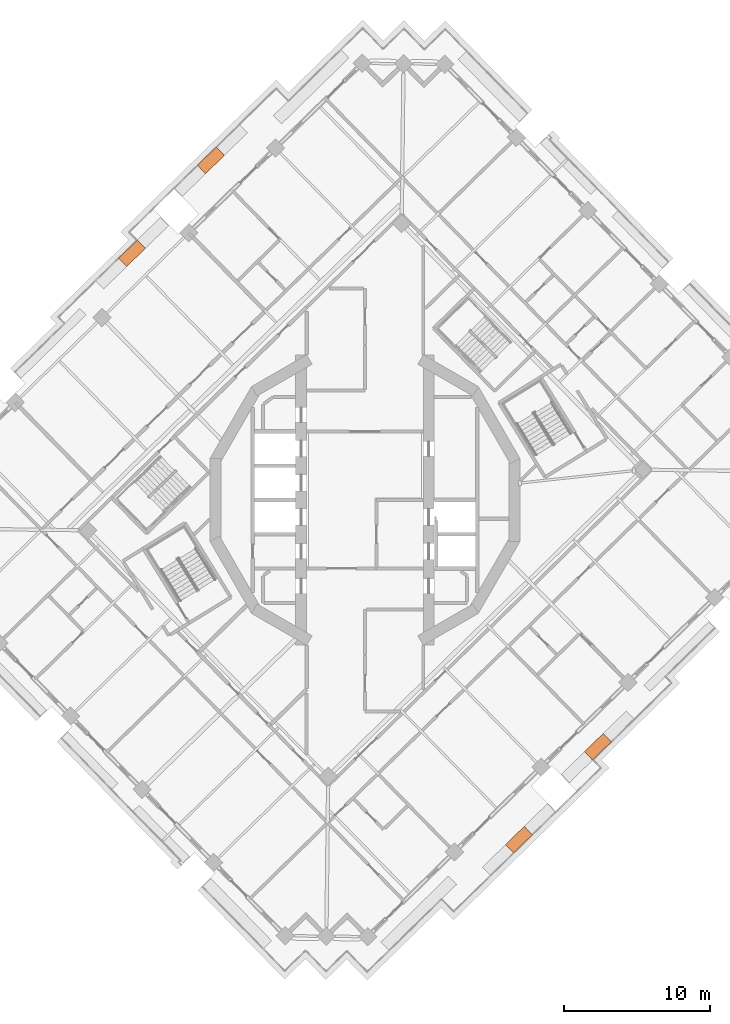
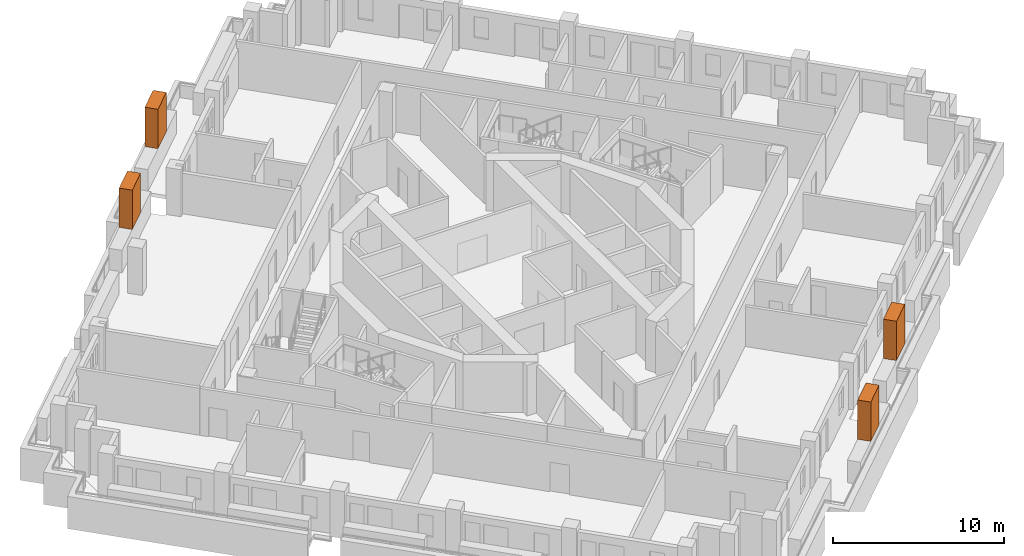
# One storey, part 17 of 17: 4 proxies.
"""IFC4 building model written with IfcOpenShell, lengths in metres."""

from ifc_helpers import new_model, si_unit, direction, frame, origin, origin_2d, place, context, subcontext, project, spatial, rectangle, extrude, element, save


model = new_model("IFC4")

# Units and contexts
model_context = context("Model", 3, precision=1e-05, world=origin(), true_north=direction((0.0, 1.0)))
body_context = subcontext(model_context, "Body", "Model", "MODEL_VIEW")
ifc_project = project(units=[si_unit("LENGTHUNIT", "METRE"), si_unit("AREAUNIT", "SQUARE_METRE"), si_unit("VOLUMEUNIT", "CUBIC_METRE"), si_unit("PLANEANGLEUNIT", "RADIAN"), si_unit("MASSUNIT", "GRAM", prefix="KILO")], contexts=[model_context])

# Site, building, storey
site_placement = place(None, origin())
site = spatial("IfcSite", under=ifc_project, at=site_placement, CompositionType="ELEMENT")
building_placement = place(site_placement, origin())
building = spatial("IfcBuilding", under=site, at=building_placement, Name="Cantera Rosa Tower", CompositionType="ELEMENT")
storey_placement = place(building_placement, frame((0.0, 0.0, 227.0)))
storey = spatial("IfcBuildingStorey", under=building, at=storey_placement, Name="L49", CompositionType="ELEMENT", Elevation=227.0)

# Proxies
for number, where, z_axis, x_axis, name in (
    (1, (-10.56640625, 23.29296875, 1.60009765625), (0.0, 0.0, 1.0), (-0.71528629107, -0.698831540364, 0.0), "TREE L49-07"),
    (2, (-15.97509765625, 16.923583984375, 1.60009765625), (0.0, 0.0, 1.0), (-0.71528629107, -0.698831540364, 0.0), "TREE L49-08"),
    (3, (10.56640625, -23.29296875, 1.60009765625), (0.0, 0.0, 1.0), (0.71528629107, 0.698831540364, 0.0), "TREE L49-17"),
    (4, (15.97509765625, -16.923583984375, 1.60009765625), (0.0, 0.0, 1.0), (0.71528629107, 0.698831540364, 0.0), "TREE L49-18"),
):
    element("IfcBuildingElementProxy", number, at=place(storey_placement, frame(where, z_axis=z_axis, x_axis=x_axis)), inside=storey, Name=name, ObjectType="TREE", PredefinedType="USERDEFINED", context=body_context, shape_type="SweptSolid", body=[
        extrude(rectangle(XDim=1.800048828125, YDim=0.800048828125, at=origin_2d()), origin(), (0.0, 0.0, 1.0), 2.800048828125),
    ])

save(model, "model.ifc")
